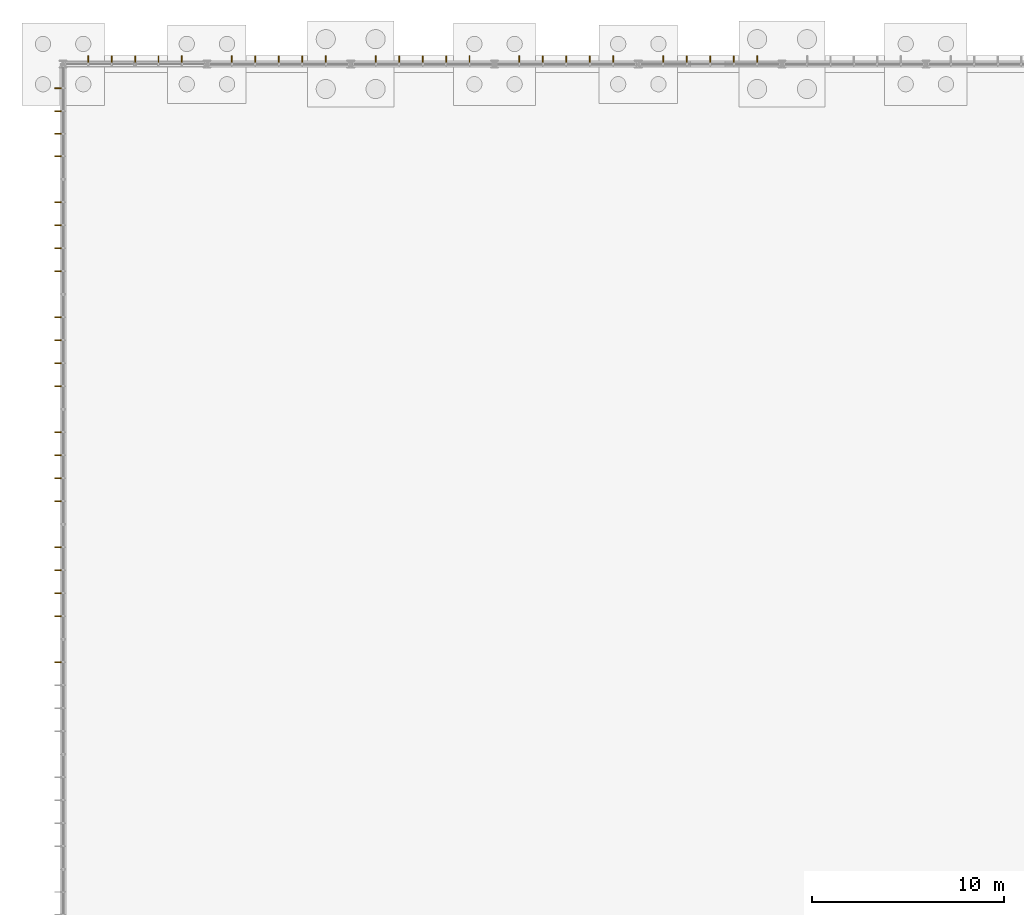
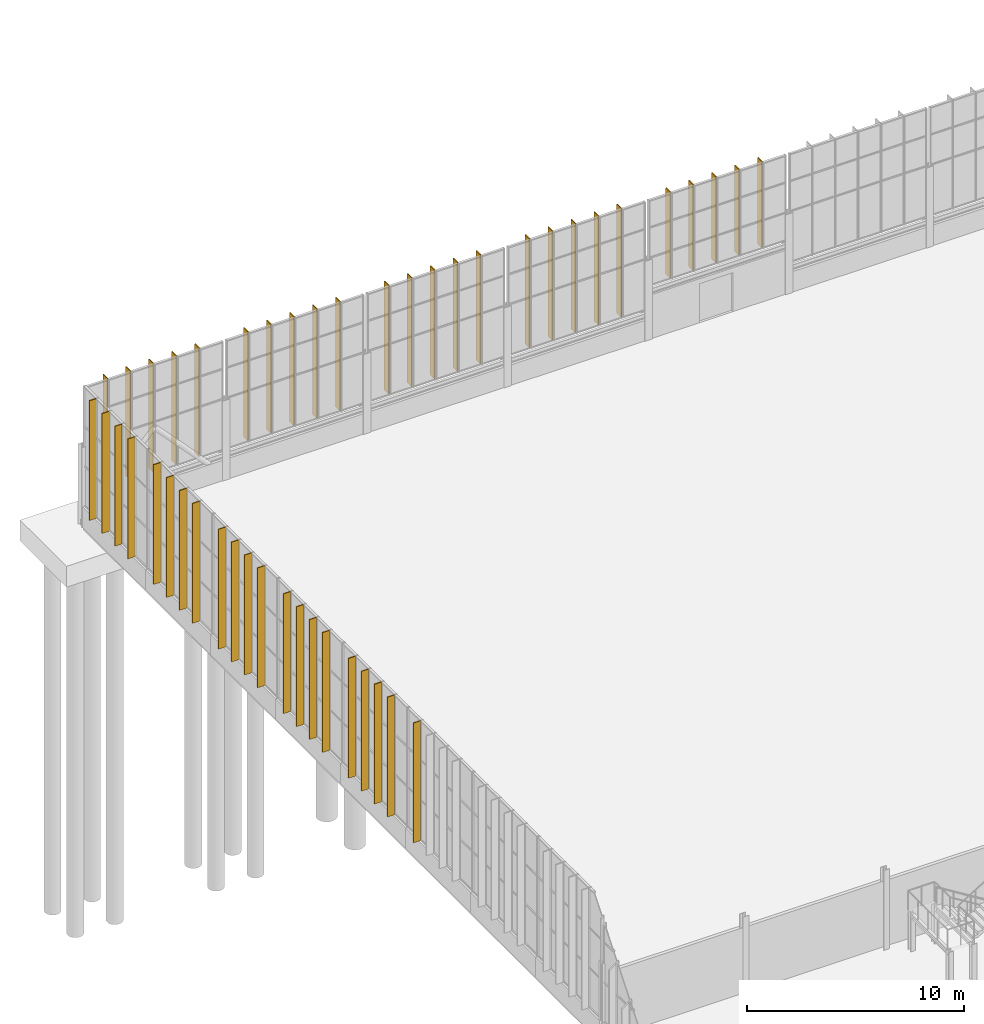
# One storey, part 126 of 136: 46 coverings.
"""IFC4 building model written with IfcOpenShell, lengths in metres."""

import ifcopenshell
import ifcopenshell.guid

model = None  # the IFC model being written
_history = None  # IfcOwnerHistory: only IFC2X3 demands one
_inside = {}  # id of a spatial element -> (the spatial element, [elements in it])
_under = {}  # id of a project, library or spatial element -> (it, [spatial elements below it])
_declared = {}  # id of a project -> (the project, [libraries it declares])
_typed = {}  # id of a type object -> (the type object, [elements of that type])
_made_of = {}  # id of a material, layer set ... -> (it, [elements and type objects made of it])


def new_model(schema):
    """Start an empty IFC model of exactly this schema.

    Asked for "IFC4X3", IfcOpenShell would pick the latest addendum, in which some entities
    have other attributes; the version numbers below select the first issue.
    IFC2X3 requires an IfcOwnerHistory on every rooted entity: one is made here for all.
    """
    global model, _history
    if schema == "IFC4X3":
        model = ifcopenshell.file(schema_version=(4, 3, 0, 0))
    else:
        model = ifcopenshell.file(schema=schema)
    _inside.clear()
    _under.clear()
    _declared.clear()
    _typed.clear()
    _made_of.clear()
    _history = None
    if model.schema == "IFC2X3":
        org = make("IfcOrganization", Name="unknown")
        user = make(
            "IfcPersonAndOrganization",
            ThePerson=make("IfcPerson", FamilyName="unknown"),
            TheOrganization=org,
        )
        app = make(
            "IfcApplication",
            ApplicationDeveloper=org,
            Version="unknown",
            ApplicationFullName="unknown",
            ApplicationIdentifier="unknown",
        )
        _history = make(
            "IfcOwnerHistory",
            OwningUser=user,
            OwningApplication=app,
            ChangeAction="ADDED",
            CreationDate=0,
        )
    return model


def make(cls, **values):
    """One entity of the class cls with the attributes given. An attribute that is None is left unset."""
    return model.create_entity(
        cls, **{name: value for name, value in values.items() if value is not None}
    )


def rooted(cls, **values):
    """An entity with a GlobalId (a new one), such as an element, a storey or a relation."""
    return make(cls, GlobalId=ifcopenshell.guid.new(), OwnerHistory=_history, **values)


def si_unit(unit_type, name, prefix=None):
    """IfcSIUnit, for example si_unit("LENGTHUNIT", "METRE", prefix="MILLI")."""
    return make("IfcSIUnit", UnitType=unit_type, Prefix=prefix, Name=name)


def assignment(units):
    """IfcUnitAssignment: the units of a project."""
    return None if units is None else make("IfcUnitAssignment", Units=units)


def point(xyz):
    """IfcCartesianPoint."""
    return None if xyz is None else make("IfcCartesianPoint", Coordinates=xyz)


def direction(xyz):
    """IfcDirection."""
    return None if xyz is None else make("IfcDirection", DirectionRatios=xyz)


def frame(location, z_axis=None, x_axis=None):
    """IfcAxis2Placement3D, a coordinate frame: its origin and axes. An axis left out is left unset."""
    return make(
        "IfcAxis2Placement3D",
        Location=point(location),
        Axis=direction(z_axis),
        RefDirection=direction(x_axis),
    )


def frame_2d(location, x_axis=None):
    """IfcAxis2Placement2D, a coordinate frame in the plane: its origin and x axis."""
    return make(
        "IfcAxis2Placement2D", Location=point(location), RefDirection=direction(x_axis)
    )


def origin():
    """The frame at (0, 0, 0) with its axes left unset."""
    return frame((0.0, 0.0, 0.0))


def origin_2d():
    """The frame at (0, 0) in the plane with its x axis left unset."""
    return frame_2d((0.0, 0.0))


def place(relative_to, where):
    """IfcLocalPlacement: puts the frame where relative to a parent placement (None: the world)."""
    return make(
        "IfcLocalPlacement", PlacementRelTo=relative_to, RelativePlacement=where
    )


def context(
    kind, dimensions, precision=None, world=None, true_north=None, identifier=None
):
    """IfcGeometricRepresentationContext, for example the 3D "Model" context."""
    return make(
        "IfcGeometricRepresentationContext",
        ContextIdentifier=identifier,
        ContextType=kind,
        CoordinateSpaceDimension=dimensions,
        Precision=precision,
        WorldCoordinateSystem=world,
        TrueNorth=true_north,
    )


def subcontext(parent, identifier, kind, view, scale=None):
    """IfcGeometricRepresentationSubContext, for example "Body" below "Model"."""
    return make(
        "IfcGeometricRepresentationSubContext",
        ContextIdentifier=identifier,
        ContextType=kind,
        ParentContext=parent,
        TargetScale=scale,
        TargetView=view,
    )


def project(units=None, contexts=None):
    """IfcProject with its units and contexts."""
    return rooted(
        "IfcProject",
        Name="project",
        RepresentationContexts=contexts,
        UnitsInContext=assignment(units),
    )


def spatial(cls, under=None, at=None, **own):
    """A site, building, storey or space (cls), placed at a placement, below another one or the project."""
    s = rooted(cls, ObjectPlacement=at, **own)
    if under is not None:
        _under.setdefault(under.id(), (under, []))[1].append(s)
    return s


def profile(cls, at=None, kind="AREA", **sizes):
    """A parametric profile (cls). Its sizes go by their IFC names, for example OverallWidth=200.0."""
    return make(cls, ProfileType=kind, Position=at, **sizes)


def rectangle(**sizes):
    """IfcRectangleProfileDef."""
    return profile("IfcRectangleProfileDef", **sizes)


def extrude(swept, where, along, depth):
    """IfcExtrudedAreaSolid: the profile swept, set in the frame where, extruded along a direction by depth."""
    return make(
        "IfcExtrudedAreaSolid",
        SweptArea=swept,
        Position=where,
        ExtrudedDirection=direction(along),
        Depth=depth,
    )


def shape(context_of_items, identifier, shape_type, items):
    """IfcShapeRepresentation: the items that make up one representation, for example the "Body"."""
    return make(
        "IfcShapeRepresentation",
        ContextOfItems=context_of_items,
        RepresentationIdentifier=identifier,
        RepresentationType=shape_type,
        Items=items,
    )


def material(Name=None, Category=None):
    """IfcMaterial."""
    return make("IfcMaterial", Name=Name, Category=Category)


def layer(
    of_material, thickness, ventilated=None, Name=None, Category=None, Priority=None
):
    """IfcMaterialLayer: one layer of a wall or slab, of a material (None: an air gap)."""
    return make(
        "IfcMaterialLayer",
        Material=of_material,
        LayerThickness=thickness,
        IsVentilated=ventilated,
        Name=Name,
        Category=Category,
        Priority=Priority,
    )


def layer_set(layers, Name=None):
    """IfcMaterialLayerSet."""
    return make("IfcMaterialLayerSet", MaterialLayers=layers, LayerSetName=Name)


def made_of(thing, what):
    """Note that an element or type object is made of a material, layer set ...; save() writes the relation."""
    if what is not None:
        _made_of.setdefault(what.id(), (what, []))[1].append(thing)
    return thing


def type_object(cls, material=None, **own):
    """A type object (cls), such as IfcWallType, which elements share."""
    return made_of(rooted(cls, **own), material)


def element(
    cls,
    number,
    at=None,
    inside=None,
    cuts=None,
    type_object=None,
    material=None,
    context=None,
    identifier="Body",
    shape_type=None,
    held_by="IfcProductDefinitionShape",
    body=None,
    shapes=None,
    **own,
):
    """One element of the class cls, such as IfcWall. Its Tag is "e" and its number.

    at: its placement. inside: the storey or other place that contains it. cuts: it is an
    opening in that element (IfcRelVoidsElement). A single representation is given by context,
    identifier, shape_type and body (its items); several are given by shapes. held_by: the class
    of the entity that holds the representations. save() writes the other relations.
    """
    e = rooted(cls, Tag="e%d" % number, ObjectPlacement=at, **own)
    if body is not None:
        shapes = [shape(context, identifier, shape_type, body)]
    if shapes is not None:
        e.Representation = make(held_by, Representations=shapes)
    if inside is not None:
        _inside.setdefault(inside.id(), (inside, []))[1].append(e)
    if cuts is not None:
        rooted(
            "IfcRelVoidsElement", RelatingBuildingElement=cuts, RelatedOpeningElement=e
        )
    if type_object is not None:
        _typed.setdefault(type_object.id(), (type_object, []))[1].append(e)
    return made_of(e, material)


def aggregate(whole, parts):
    """IfcRelAggregates: a whole, such as a stair, and the parts it consists of."""
    return rooted("IfcRelAggregates", RelatingObject=whole, RelatedObjects=parts)


def save(model, path):
    """Write the relations noted so far, then the file.

    IfcRelAggregates (storeys below a building ...), IfcRelContainedInSpatialStructure (elements
    in a storey), IfcRelDefinesByType, IfcRelAssociatesMaterial and IfcRelDeclares: one each for
    every whole, place, type object, material and project.
    """
    for whole, parts in _under.values():
        aggregate(whole, parts)
    for where, things in _inside.values():
        rooted(
            "IfcRelContainedInSpatialStructure",
            RelatedElements=things,
            RelatingStructure=where,
        )
    for kind, things in _typed.values():
        rooted("IfcRelDefinesByType", RelatedObjects=things, RelatingType=kind)
    for what, things in _made_of.values():
        rooted("IfcRelAssociatesMaterial", RelatedObjects=things, RelatingMaterial=what)
    for by, libraries in _declared.values():
        rooted("IfcRelDeclares", RelatingContext=by, RelatedDefinitions=libraries)
    model.write(path)


model = new_model("IFC4")

# Units and contexts
model_context = context("Model", 3, precision=1e-05, world=origin(), true_north=direction((0.0, 1.0)))
body_context = subcontext(model_context, "Body", "Model", "MODEL_VIEW")
ifc_project = project(units=[si_unit("LENGTHUNIT", "METRE"), si_unit("AREAUNIT", "SQUARE_METRE"), si_unit("VOLUMEUNIT", "CUBIC_METRE"), si_unit("PLANEANGLEUNIT", "RADIAN"), si_unit("MASSUNIT", "GRAM", prefix="KILO")], contexts=[model_context])

# Site, building, storey
site_placement = place(None, origin())
site = spatial("IfcSite", under=ifc_project, at=site_placement, CompositionType="ELEMENT")
building_placement = place(site_placement, origin())
building = spatial("IfcBuilding", under=site, at=building_placement, Name="Solvenia Promenade Tram Depot", CompositionType="ELEMENT")
storey_placement = place(building_placement, origin())
storey = spatial("IfcBuildingStorey", under=building, at=storey_placement, Name="L00", CompositionType="ELEMENT", Elevation=0.0)

# Coverings
ifc_material = material(Name="Anodized aluminium AW-6063 T6", Category="aluminium")
ifc_layer = layer(ifc_material, 0.050048828125, Name="Anodized aluminium AW-6063 T6", Category="aluminium")
ifc_layer_set = layer_set([ifc_layer], Name="Anodized aluminium AW-6063 T6")
covering_type = type_object("IfcCoveringType", Name="Fin-Shade-380", PredefinedType="CLADDING", material=ifc_layer_set)
for number, where, z_axis, x_axis, name in (
    (1, (1.30322265625, 126.2548828125, 1.60009765625), (0.0, 0.0, 1.0), (1.0, 0.0, 0.0), "Channel-Glass Vertical Shading Rib 001"),
    (2, (2.526611328125, 126.2548828125, 1.60009765625), (0.0, 0.0, 1.0), (1.0, 0.0, 0.0), "Channel-Glass Vertical Shading Rib 002"),
    (3, (3.75, 126.2548828125, 1.60009765625), (0.0, 0.0, 1.0), (1.0, 0.0, 0.0), "Channel-Glass Vertical Shading Rib 003"),
    (4, (4.973388671875, 126.2548828125, 1.60009765625), (0.0, 0.0, 1.0), (1.0, 0.0, 0.0), "Channel-Glass Vertical Shading Rib 004"),
    (5, (6.19677734375, 126.2548828125, 1.60009765625), (0.0, 0.0, 1.0), (1.0, 0.0, 0.0), "Channel-Glass Vertical Shading Rib 005"),
    (6, (8.80322265625, 126.2548828125, 1.60009765625), (0.0, 0.0, 1.0), (1.0, 0.0, 0.0), "Channel-Glass Vertical Shading Rib 006"),
    (7, (10.026611328125, 126.2548828125, 1.60009765625), (0.0, 0.0, 1.0), (1.0, 0.0, 0.0), "Channel-Glass Vertical Shading Rib 007"),
    (8, (11.25, 126.2548828125, 1.60009765625), (0.0, 0.0, 1.0), (1.0, 0.0, 0.0), "Channel-Glass Vertical Shading Rib 008"),
    (9, (12.473388671875, 126.2548828125, 1.60009765625), (0.0, 0.0, 1.0), (1.0, 0.0, 0.0), "Channel-Glass Vertical Shading Rib 009"),
    (10, (13.69677734375, 126.2548828125, 1.60009765625), (0.0, 0.0, 1.0), (1.0, 0.0, 0.0), "Channel-Glass Vertical Shading Rib 010"),
    (11, (16.30322265625, 126.2548828125, 1.60009765625), (0.0, 0.0, 1.0), (1.0, 0.0, 0.0), "Channel-Glass Vertical Shading Rib 011"),
    (12, (17.526611328125, 126.2548828125, 1.60009765625), (0.0, 0.0, 1.0), (1.0, 0.0, 0.0), "Channel-Glass Vertical Shading Rib 012"),
    (13, (18.75, 126.2548828125, 1.60009765625), (0.0, 0.0, 1.0), (1.0, 0.0, 0.0), "Channel-Glass Vertical Shading Rib 013"),
    (14, (19.973388671875, 126.2548828125, 1.60009765625), (0.0, 0.0, 1.0), (1.0, 0.0, 0.0), "Channel-Glass Vertical Shading Rib 014"),
    (15, (21.19677734375, 126.2548828125, 1.60009765625), (0.0, 0.0, 1.0), (1.0, 0.0, 0.0), "Channel-Glass Vertical Shading Rib 015"),
    (16, (23.80322265625, 126.2548828125, 1.60009765625), (0.0, 0.0, 1.0), (1.0, 0.0, 0.0), "Channel-Glass Vertical Shading Rib 016"),
    (17, (25.026611328125, 126.2548828125, 1.60009765625), (0.0, 0.0, 1.0), (1.0, 0.0, 0.0), "Channel-Glass Vertical Shading Rib 017"),
    (18, (26.25, 126.2548828125, 1.60009765625), (0.0, 0.0, 1.0), (1.0, 0.0, 0.0), "Channel-Glass Vertical Shading Rib 018"),
    (19, (27.473388671875, 126.2548828125, 1.60009765625), (0.0, 0.0, 1.0), (1.0, 0.0, 0.0), "Channel-Glass Vertical Shading Rib 019"),
    (20, (28.69677734375, 126.2548828125, 1.60009765625), (0.0, 0.0, 1.0), (1.0, 0.0, 0.0), "Channel-Glass Vertical Shading Rib 020"),
):
    element("IfcCovering", number, at=place(storey_placement, frame(where, z_axis=z_axis, x_axis=x_axis)), inside=storey, type_object=covering_type, Name=name, PredefinedType="CLADDING", context=body_context, shape_type="SweptSolid", body=[
        extrude(rectangle(XDim=0.050048828125, YDim=0.3798828125, at=origin_2d()), origin(), (0.0, 0.0, 1.0), 6.14990234375),
    ])
for number, where, z_axis, x_axis, name in (
    (21, (31.30322265625, 126.2548828125, 2.89990234375), (0.0, 0.0, 1.0), (1.0, 0.0, 0.0), "Channel-Glass Vertical Shading Rib 021"),
    (22, (32.526611328125, 126.2548828125, 2.89990234375), (0.0, 0.0, 1.0), (1.0, 0.0, 0.0), "Channel-Glass Vertical Shading Rib 022"),
    (23, (33.75, 126.2548828125, 2.89990234375), (0.0, 0.0, 1.0), (1.0, 0.0, 0.0), "Channel-Glass Vertical Shading Rib 023"),
    (24, (34.973388671875, 126.2548828125, 2.89990234375), (0.0, 0.0, 1.0), (1.0, 0.0, 0.0), "Channel-Glass Vertical Shading Rib 024"),
    (25, (36.19677734375, 126.2548828125, 2.89990234375), (0.0, 0.0, 1.0), (1.0, 0.0, 0.0), "Channel-Glass Vertical Shading Rib 025"),
):
    element("IfcCovering", number, at=place(storey_placement, frame(where, z_axis=z_axis, x_axis=x_axis)), inside=storey, type_object=covering_type, Name=name, PredefinedType="CLADDING", context=body_context, shape_type="SweptSolid", body=[
        extrude(rectangle(XDim=0.050048828125, YDim=0.3798828125, at=origin_2d()), origin(), (0.0, 0.0, 1.0), 4.85009765625),
    ])
for number, where, z_axis, x_axis, name in (
    (26, (-0.25, 94.800048828125, 1.14990234375), (0.0, 0.0, 1.0), (1.0, 0.0, 0.0), "West Channel-Glass Shading Rib 161"),
    (27, (-0.25, 97.199951171875, 1.14990234375), (0.0, 0.0, 1.0), (1.0, 0.0, 0.0), "West Channel-Glass Shading Rib 162"),
    (28, (-0.25, 98.39990234375, 1.14990234375), (0.0, 0.0, 1.0), (1.0, 0.0, 0.0), "West Channel-Glass Shading Rib 163"),
    (29, (-0.25, 99.60009765625, 1.14990234375), (0.0, 0.0, 1.0), (1.0, 0.0, 0.0), "West Channel-Glass Shading Rib 164"),
    (30, (-0.25, 100.800048828125, 1.14990234375), (0.0, 0.0, 1.0), (1.0, 0.0, 0.0), "West Channel-Glass Shading Rib 165"),
    (31, (-0.25, 103.199951171875, 1.14990234375), (0.0, 0.0, 1.0), (1.0, 0.0, 0.0), "West Channel-Glass Shading Rib 166"),
    (32, (-0.25, 104.39990234375, 1.14990234375), (0.0, 0.0, 1.0), (1.0, 0.0, 0.0), "West Channel-Glass Shading Rib 167"),
    (33, (-0.25, 105.60009765625, 1.14990234375), (0.0, 0.0, 1.0), (1.0, 0.0, 0.0), "West Channel-Glass Shading Rib 168"),
    (34, (-0.25, 106.800048828125, 1.14990234375), (0.0, 0.0, 1.0), (1.0, 0.0, 0.0), "West Channel-Glass Shading Rib 169"),
    (35, (-0.25, 109.199951171875, 1.14990234375), (0.0, 0.0, 1.0), (1.0, 0.0, 0.0), "West Channel-Glass Shading Rib 170"),
    (36, (-0.25, 110.39990234375, 1.14990234375), (0.0, 0.0, 1.0), (1.0, 0.0, 0.0), "West Channel-Glass Shading Rib 171"),
    (37, (-0.25, 111.60009765625, 1.14990234375), (0.0, 0.0, 1.0), (1.0, 0.0, 0.0), "West Channel-Glass Shading Rib 172"),
    (38, (-0.25, 112.800048828125, 1.14990234375), (0.0, 0.0, 1.0), (1.0, 0.0, 0.0), "West Channel-Glass Shading Rib 173"),
    (39, (-0.25, 115.199951171875, 1.14990234375), (0.0, 0.0, 1.0), (1.0, 0.0, 0.0), "West Channel-Glass Shading Rib 174"),
    (40, (-0.25, 116.39990234375, 1.14990234375), (0.0, 0.0, 1.0), (1.0, 0.0, 0.0), "West Channel-Glass Shading Rib 175"),
    (41, (-0.25, 117.60009765625, 1.14990234375), (0.0, 0.0, 1.0), (1.0, 0.0, 0.0), "West Channel-Glass Shading Rib 176"),
    (42, (-0.25, 118.800048828125, 1.14990234375), (0.0, 0.0, 1.0), (1.0, 0.0, 0.0), "West Channel-Glass Shading Rib 177"),
    (43, (-0.25, 121.18408203125, 1.14990234375), (0.0, 0.0, 1.0), (1.0, 0.0, 0.0), "West Channel-Glass Shading Rib 178"),
    (44, (-0.25, 122.367919921875, 1.14990234375), (0.0, 0.0, 1.0), (1.0, 0.0, 0.0), "West Channel-Glass Shading Rib 179"),
    (45, (-0.25, 123.552001953125, 1.14990234375), (0.0, 0.0, 1.0), (1.0, 0.0, 0.0), "West Channel-Glass Shading Rib 180"),
    (46, (-0.25, 124.736083984375, 1.14990234375), (0.0, 0.0, 1.0), (1.0, 0.0, 0.0), "West Channel-Glass Shading Rib 181"),
):
    element("IfcCovering", number, at=place(storey_placement, frame(where, z_axis=z_axis, x_axis=x_axis)), inside=storey, type_object=covering_type, Name=name, PredefinedType="CLADDING", context=body_context, shape_type="SweptSolid", body=[
        extrude(rectangle(XDim=0.3798828125, YDim=0.050048828125, at=origin_2d()), origin(), (0.0, 0.0, 1.0), 6.75),
    ])

save(model, "model.ifc")
